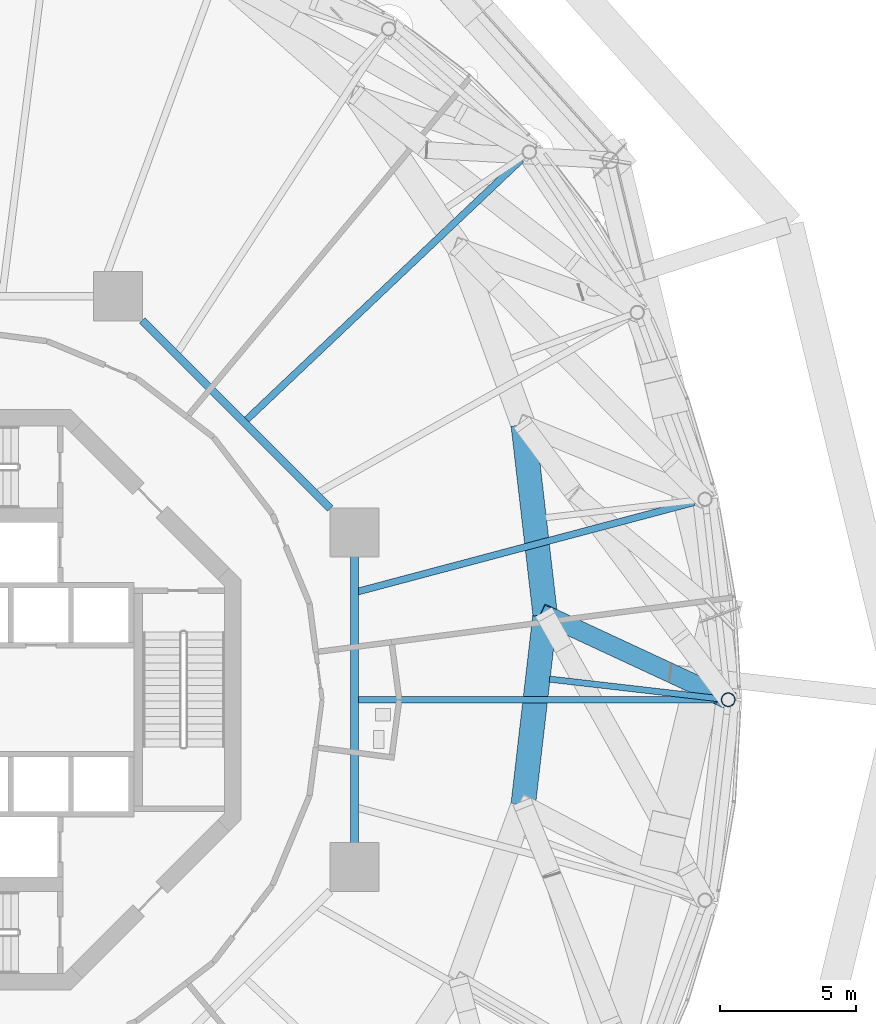
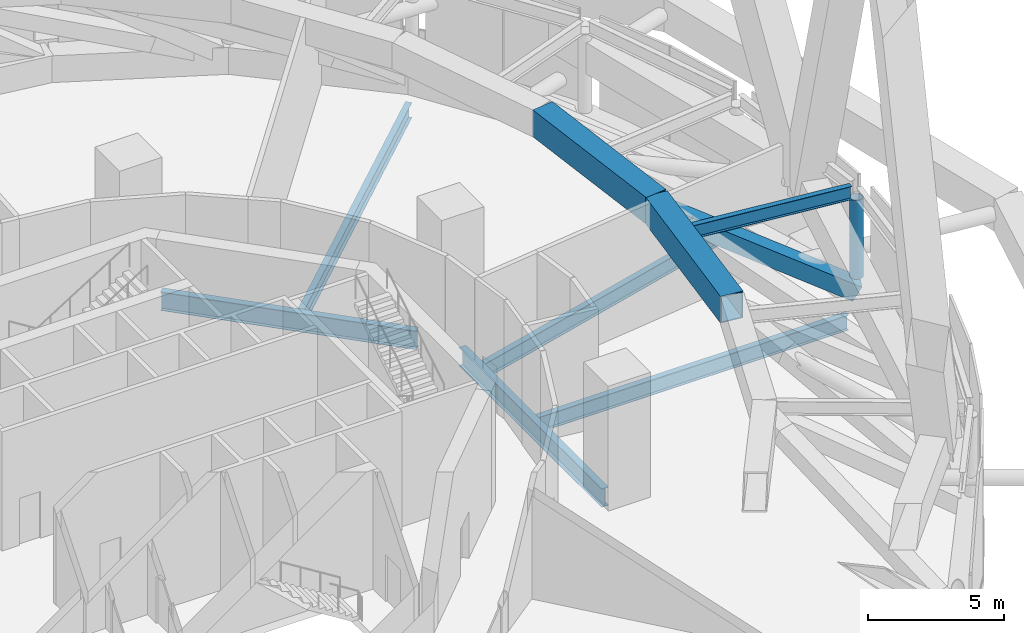
# One storey, part 35 of 60: 9 beams, 1 member.
"""IFC4 building model written with IfcOpenShell, lengths in metres."""

from ifc_helpers import new_model, si_unit, direction, frame, origin, origin_2d, place, context, subcontext, project, spatial, hollow_rectangle, hollow_circle, i_section, extrude, material, material_profile, profile_set, type_object, element, save


model = new_model("IFC4")

# Units and contexts
model_context = context("Model", 3, precision=1e-05, world=origin(), true_north=direction((0.0, 1.0)))
body_context = subcontext(model_context, "Body", "Model", "MODEL_VIEW")
ifc_project = project(units=[si_unit("LENGTHUNIT", "METRE"), si_unit("AREAUNIT", "SQUARE_METRE"), si_unit("VOLUMEUNIT", "CUBIC_METRE"), si_unit("PLANEANGLEUNIT", "RADIAN"), si_unit("MASSUNIT", "GRAM", prefix="KILO")], contexts=[model_context])

# Site, building, storey
site_placement = place(None, origin())
site = spatial("IfcSite", under=ifc_project, at=site_placement, CompositionType="ELEMENT")
building_placement = place(site_placement, origin())
building = spatial("IfcBuilding", under=site, at=building_placement, Name="Nagisa Residences", CompositionType="ELEMENT")
storey_placement = place(building_placement, frame((0.0, 0.0, 206.60009765625)))
storey = spatial("IfcBuildingStorey", under=building, at=storey_placement, Name="L52", CompositionType="ELEMENT", Elevation=206.60009765625)

# Beams
ifc_material_1 = material(Name="Steel ASTM A572 Gr 50", Category="steel")
ifc_material_profile_1 = material_profile(ifc_material_1, hollow_rectangle(XDim=0.89990234375, YDim=1.199951171875, WallThickness=0.044921875, at=origin_2d()), Name="BX 900x1200x45")
ifc_profile_set_1 = profile_set([ifc_material_profile_1], Name="Steel ASTM A572 Gr 50")
beam_type_1 = type_object("IfcBeamType", Name="Belt chord 4 BX 900x1200x45", PredefinedType="BEAM", material=ifc_profile_set_1)
for number, where, z_axis, x_axis, name in (
    (1, (21.77001953125, 3.11767578125, 4.739990234375), (-0.114649239058, 0.99340603581, 0.0), (-0.99340603581, -0.114649239058, 0.0), "beam:L52:bt4t01"),
    (2, (20.966796875, -3.842041015625, 4.739990234375), (0.114649239058, 0.99340603581, 0.0), (-0.99340603581, 0.114649239058, 0.0), "beam:L52:bt4t24"),
):
    element("IfcBeam", number, at=place(storey_placement, frame(where, z_axis=z_axis, x_axis=x_axis)), inside=storey, type_object=beam_type_1, Name=name, PredefinedType="BEAM", context=body_context, shape_type="SweptSolid", body=[
        extrude(hollow_rectangle(XDim=0.89990234375, YDim=1.199951171875, WallThickness=0.044921875, at=origin_2d()), origin(), (0.0, 0.0, 1.0), 7.005859375),
    ])
ifc_material_2 = material(Name="Steel ASTM A572 Gr 50", Category="steel")
ifc_material_profile_2 = material_profile(ifc_material_2, hollow_rectangle(XDim=0.699951171875, YDim=0.699951171875, WallThickness=0.0400390625, at=origin_2d()), Name="BX 700x700x40")
ifc_profile_set_2 = profile_set([ifc_material_profile_2], Name="Steel ASTM A572 Gr 50")
beam_type_2 = type_object("IfcBeamType", Name="Belt diagonal 4 BX 700x700x40", PredefinedType="BEAM", material=ifc_profile_set_2)
beam_1_placement = place(storey_placement, frame((28.47509765625, 0.0, 0.599853515625), z_axis=(-0.791197764483, 0.367885065994, 0.488535234857), x_axis=(-0.421623431432, -0.906771019645, 0.0)))
element("IfcBeam", 3, at=beam_1_placement, inside=storey, type_object=beam_type_2, Name="beam:L52:bt4da01", PredefinedType="BEAM", context=body_context, shape_type="SweptSolid", body=[
    extrude(hollow_rectangle(XDim=0.699951171875, YDim=0.699951171875, WallThickness=0.0400390625, at=origin_2d()), origin(), (0.0, 0.0, 1.0), 8.474609375),
])

# Member
ifc_material_3 = material(Name="Steel ASTM A572 Gr 65", Category="steel")
ifc_material_profile_3 = material_profile(ifc_material_3, hollow_circle(Radius=0.25390625, WallThickness=0.02001953125, at=origin_2d()), Name="CHS 508x20")
ifc_profile_set_3 = profile_set([ifc_material_profile_3], Name="Steel ASTM A572 Gr 65")
member_type = type_object("IfcMemberType", Name="Garden edge post CHS 508x20", PredefinedType="POST", material=ifc_profile_set_3)
member_placement = place(storey_placement, frame((28.47509765625, 0.0, 1.199951171875), z_axis=(0.0, 0.0, 1.0), x_axis=(1.0, 0.0, 0.0)))
element("IfcMember", 4, at=member_placement, inside=storey, type_object=member_type, Name="mem:L52:gp401", PredefinedType="POST", context=body_context, shape_type="SweptSolid", body=[
    extrude(hollow_circle(Radius=0.25390625, WallThickness=0.02001953125, at=origin_2d()), origin(), (0.0, 0.0, 1.0), 3.536865234375),
])

# Beams
ifc_material_4 = material(Name="Steel ASTM A572 Gr 50", Category="steel")
ifc_material_profile_4 = material_profile(ifc_material_4, i_section(OverallWidth=0.22802734375, OverallDepth=0.60302734375, WebThickness=0.010498046875, FlangeThickness=0.014892578125, at=origin_2d()), Name="W610x101")
ifc_profile_set_4 = profile_set([ifc_material_profile_4], Name="Steel ASTM A572 Gr 50")
beam_type_3 = type_object("IfcBeamType", Name="Garden radial beam W610x101", PredefinedType="BEAM", material=ifc_profile_set_4)
beam_2_placement = place(storey_placement, frame((28.242431640625, 0.02685546875, 5.038330078125), z_axis=(-0.99340573831, 0.11465181679, 0.0), x_axis=(-0.11465181679, -0.99340573831, 0.0)))
element("IfcBeam", 5, at=beam_2_placement, inside=storey, type_object=beam_type_3, Name="beam:L52:bt4gr01", PredefinedType="BEAM", context=body_context, shape_type="SweptSolid", body=[
    extrude(i_section(OverallWidth=0.22802734375, OverallDepth=0.60302734375, WebThickness=0.010498046875, FlangeThickness=0.014892578125, at=origin_2d()), origin(), (0.0, 0.0, 1.0), 6.354248046875),
])
ifc_material_5 = material(Name="Steel ASTM A572 Gr 50", Category="steel")
ifc_material_profile_5 = material_profile(ifc_material_5, i_section(OverallWidth=0.2919921875, OverallDepth=0.8349609375, WebThickness=0.013916015625, FlangeThickness=0.018798828125, at=origin_2d()), Name="W840x176")
ifc_profile_set_5 = profile_set([ifc_material_profile_5], Name="Steel ASTM A572 Gr 50")
beam_type_4 = type_object("IfcBeamType", Name="Inner ring beam W840x176", PredefinedType="BEAM", material=ifc_profile_set_5)
beam_3_placement = place(storey_placement, frame((13.896240234375, 7.0087890625, -0.767578125), z_axis=(-0.707106781187, 0.707106781187, 0.0), x_axis=(-0.707106781187, -0.707106781187, 0.0)))
element("IfcBeam", 6, at=beam_3_placement, inside=storey, type_object=beam_type_4, Name="beam:L52:ib1", PredefinedType="BEAM", context=body_context, shape_type="SweptSolid", body=[
    extrude(i_section(OverallWidth=0.2919921875, OverallDepth=0.8349609375, WebThickness=0.013916015625, FlangeThickness=0.018798828125, at=origin_2d()), origin(), (0.0, 0.0, 1.0), 9.740234375),
])
beam_4_placement = place(storey_placement, frame((14.781982421875, -5.242919921875, -0.767578125), z_axis=(0.0, 1.0, 0.0), x_axis=(-1.0, 0.0, 0.0)))
element("IfcBeam", 7, at=beam_4_placement, inside=storey, type_object=beam_type_4, Name="beam:L52:ib8", PredefinedType="BEAM", context=body_context, shape_type="SweptSolid", body=[
    extrude(i_section(OverallWidth=0.2919921875, OverallDepth=0.8349609375, WebThickness=0.013916015625, FlangeThickness=0.018798828125, at=origin_2d()), origin(), (0.0, 0.0, 1.0), 10.48583984375),
])
ifc_material_6 = material(Name="Steel ASTM A572 Gr 50", Category="steel")
ifc_material_profile_6 = material_profile(ifc_material_6, i_section(OverallWidth=0.25390625, OverallDepth=0.68408203125, WebThickness=0.012451171875, FlangeThickness=0.018798828125, at=origin_2d()), Name="W690x140")
ifc_profile_set_6 = profile_set([ifc_material_profile_6], Name="Steel ASTM A572 Gr 50")
beam_type_5 = type_object("IfcBeamType", Name="Radial beam W690x140", PredefinedType="BEAM", material=ifc_profile_set_6)
beam_5_placement = place(storey_placement, frame((28.070068359375, 0.0, -0.692138671875), z_axis=(-1.0, 0.0, 0.0), x_axis=(0.0, -1.0, 0.0)))
element("IfcBeam", 8, at=beam_5_placement, inside=storey, type_object=beam_type_5, Name="beam:L52:rb01", PredefinedType="BEAM", context=body_context, shape_type="SweptSolid", body=[
    extrude(i_section(OverallWidth=0.25390625, OverallDepth=0.68408203125, WebThickness=0.012451171875, FlangeThickness=0.018798828125, at=origin_2d()), origin(), (0.0, 0.0, 1.0), 13.162109375),
])
beam_6_placement = place(storey_placement, frame((27.23583984375, 7.239990234375, -0.692138671875), z_axis=(-0.966437322462, -0.256902514103, 0.0), x_axis=(0.256902514103, -0.966437322462, 0.0)))
element("IfcBeam", 9, at=beam_6_placement, inside=storey, type_object=beam_type_5, Name="beam:L52:rb02", PredefinedType="BEAM", context=body_context, shape_type="SweptSolid", body=[
    extrude(i_section(OverallWidth=0.25390625, OverallDepth=0.68408203125, WebThickness=0.012451171875, FlangeThickness=0.018798828125, at=origin_2d()), origin(), (0.0, 0.0, 1.0), 12.755126953125),
])
beam_7_placement = place(storey_placement, frame((20.89501953125, 19.785400390625, -0.692138671875), z_axis=(-0.726128519614, -0.687558996016, 0.0), x_axis=(0.687558996016, -0.726128519614, 0.0)))
element("IfcBeam", 10, at=beam_7_placement, inside=storey, type_object=beam_type_5, Name="beam:L52:rb04", PredefinedType="BEAM", context=body_context, shape_type="SweptSolid", body=[
    extrude(i_section(OverallWidth=0.25390625, OverallDepth=0.68408203125, WebThickness=0.012451171875, FlangeThickness=0.018798828125, at=origin_2d()), origin(), (0.0, 0.0, 1.0), 13.862548828125),
])

save(model, "model.ifc")
